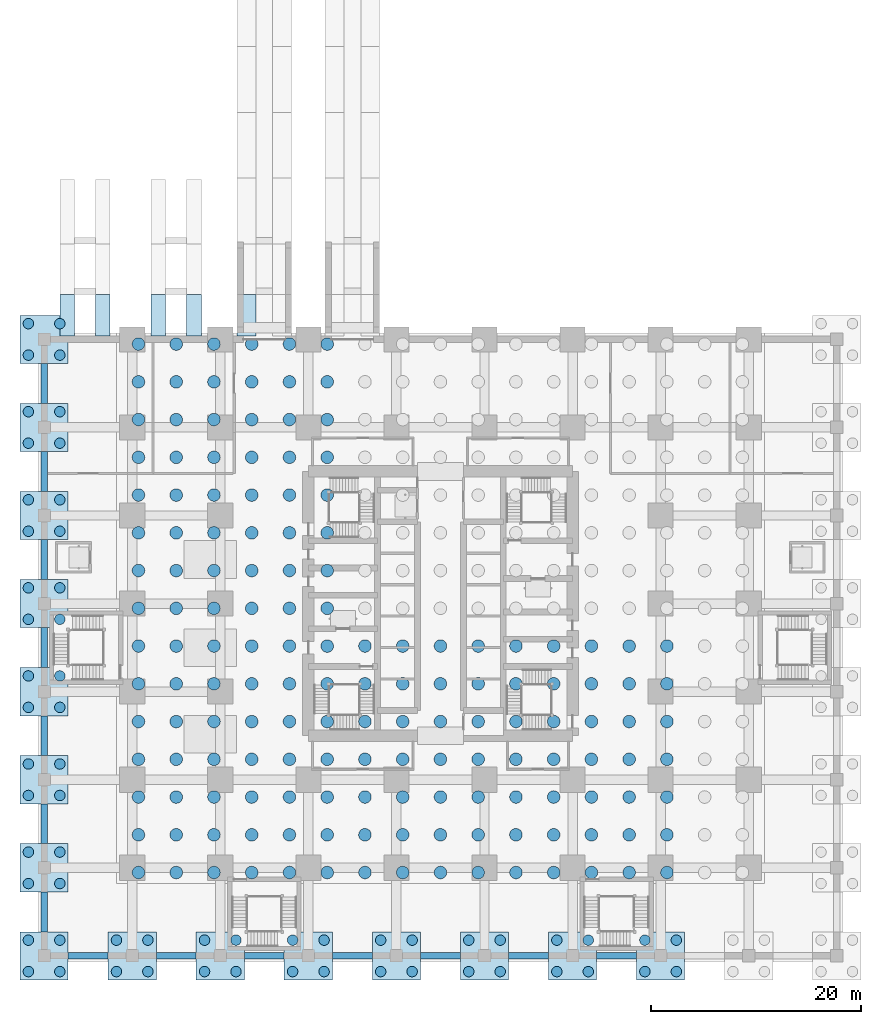
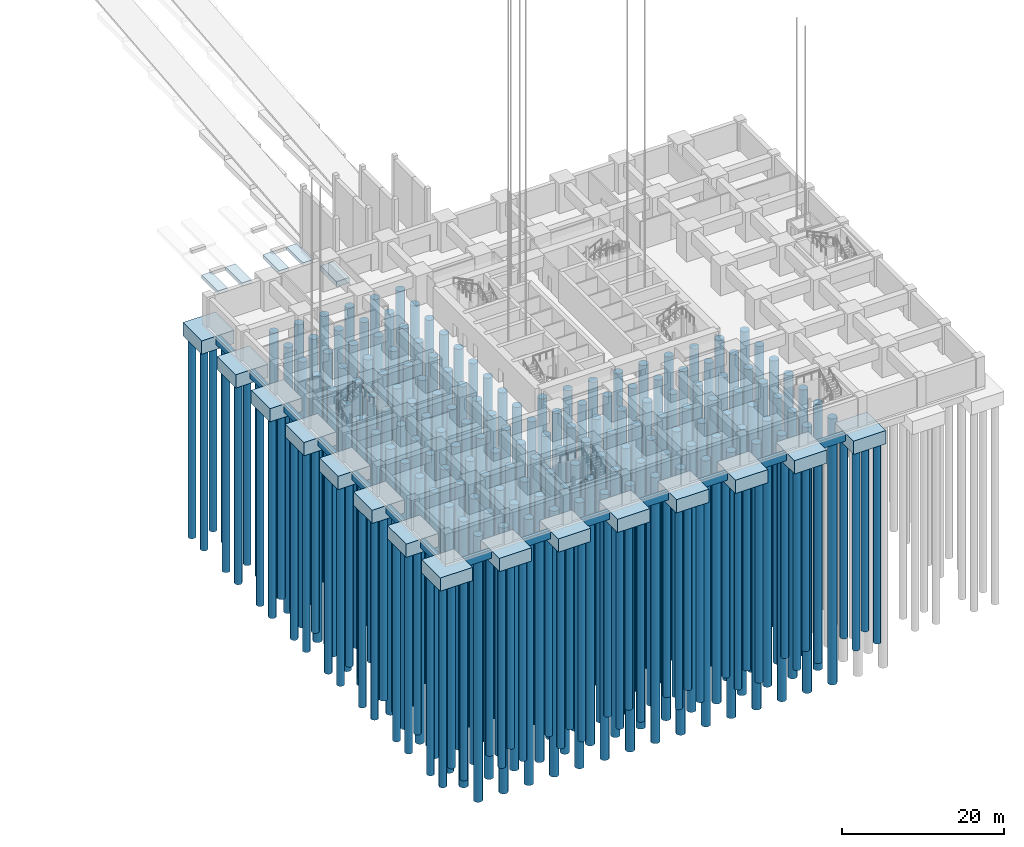
# One storey, part 1 of 28: 213 piles, 34 footings.
"""IFC4 building model written with IfcOpenShell, lengths in metres."""

from ifc_helpers import new_model, si_unit, direction, frame, origin, origin_2d, place, context, subcontext, project, spatial, rectangle, circle, extrude, material, material_profile, profile_set, type_object, element, save


model = new_model("IFC4")

# Units and contexts
model_context = context("Model", 3, precision=1e-05, world=origin(), true_north=direction((0.0, 1.0)))
body_context = subcontext(model_context, "Body", "Model", "MODEL_VIEW")
ifc_project = project(units=[si_unit("LENGTHUNIT", "METRE"), si_unit("AREAUNIT", "SQUARE_METRE"), si_unit("VOLUMEUNIT", "CUBIC_METRE"), si_unit("PLANEANGLEUNIT", "RADIAN"), si_unit("MASSUNIT", "GRAM", prefix="KILO")], contexts=[model_context])

# Site, building, storey
site_placement = place(None, origin())
site = spatial("IfcSite", under=ifc_project, at=site_placement, CompositionType="ELEMENT")
building_placement = place(site_placement, origin())
building = spatial("IfcBuilding", under=site, at=building_placement, Name="Rekha Terrace Tower", CompositionType="ELEMENT")
storey_placement = place(building_placement, frame((0.0, 0.0, -9.89990234375)))
storey = spatial("IfcBuildingStorey", under=building, at=storey_placement, Name="B-02", CompositionType="ELEMENT", Elevation=-9.89990234375)

# Piles
ifc_material_1 = material(Name="Concrete M50", Category="concrete")
pile_type_1 = type_object("IfcPileType", Name="BP1 1200 dia bored pile", PredefinedType="BORED", material=ifc_material_1)
for number, where, z_axis, x_axis, name in (
    (1, (9.0, 7.949951171875, -3.900146484375), (0.0, 0.0, -1.0), (1.0, 0.0, 0.0), "Raft pile BP1 1-1"),
    (2, (9.0, 11.550048828125, -3.900146484375), (0.0, 0.0, -1.0), (1.0, 0.0, 0.0), "Raft pile BP1 1-2"),
    (3, (9.0, 15.14990234375, -3.900146484375), (0.0, 0.0, -1.0), (1.0, 0.0, 0.0), "Raft pile BP1 1-3"),
    (4, (9.0, 18.75, -3.900146484375), (0.0, 0.0, -1.0), (1.0, 0.0, 0.0), "Raft pile BP1 1-4"),
    (5, (9.0, 22.35009765625, -3.900146484375), (0.0, 0.0, -1.0), (1.0, 0.0, 0.0), "Raft pile BP1 1-5"),
    (6, (9.0, 25.949951171875, -3.900146484375), (0.0, 0.0, -1.0), (1.0, 0.0, 0.0), "Raft pile BP1 1-6"),
    (7, (9.0, 29.550048828125, -3.900146484375), (0.0, 0.0, -1.0), (1.0, 0.0, 0.0), "Raft pile BP1 1-7"),
    (8, (9.0, 33.14990234375, -3.900146484375), (0.0, 0.0, -1.0), (1.0, 0.0, 0.0), "Raft pile BP1 1-8"),
    (9, (9.0, 36.75, -3.900146484375), (0.0, 0.0, -1.0), (1.0, 0.0, 0.0), "Raft pile BP1 1-9"),
    (10, (9.0, 40.35009765625, -3.900146484375), (0.0, 0.0, -1.0), (1.0, 0.0, 0.0), "Raft pile BP1 1-10"),
    (11, (9.0, 43.949951171875, -3.900146484375), (0.0, 0.0, -1.0), (1.0, 0.0, 0.0), "Raft pile BP1 1-11"),
    (12, (9.0, 47.550048828125, -3.900146484375), (0.0, 0.0, -1.0), (1.0, 0.0, 0.0), "Raft pile BP1 1-12"),
    (13, (9.0, 51.14990234375, -3.900146484375), (0.0, 0.0, -1.0), (1.0, 0.0, 0.0), "Raft pile BP1 1-13"),
    (14, (9.0, 54.75, -3.900146484375), (0.0, 0.0, -1.0), (1.0, 0.0, 0.0), "Raft pile BP1 1-14"),
    (15, (9.0, 58.35009765625, -3.900146484375), (0.0, 0.0, -1.0), (1.0, 0.0, 0.0), "Raft pile BP1 1-15"),
    (16, (12.60009765625, 7.949951171875, -3.900146484375), (0.0, 0.0, -1.0), (1.0, 0.0, 0.0), "Raft pile BP1 2-1"),
    (17, (12.60009765625, 11.550048828125, -3.900146484375), (0.0, 0.0, -1.0), (1.0, 0.0, 0.0), "Raft pile BP1 2-2"),
    (18, (12.60009765625, 15.14990234375, -3.900146484375), (0.0, 0.0, -1.0), (1.0, 0.0, 0.0), "Raft pile BP1 2-3"),
    (19, (12.60009765625, 18.75, -3.900146484375), (0.0, 0.0, -1.0), (1.0, 0.0, 0.0), "Raft pile BP1 2-4"),
    (20, (12.60009765625, 22.35009765625, -3.900146484375), (0.0, 0.0, -1.0), (1.0, 0.0, 0.0), "Raft pile BP1 2-5"),
    (21, (12.60009765625, 25.949951171875, -3.900146484375), (0.0, 0.0, -1.0), (1.0, 0.0, 0.0), "Raft pile BP1 2-6"),
    (22, (12.60009765625, 29.550048828125, -3.900146484375), (0.0, 0.0, -1.0), (1.0, 0.0, 0.0), "Raft pile BP1 2-7"),
    (23, (12.60009765625, 33.14990234375, -3.900146484375), (0.0, 0.0, -1.0), (1.0, 0.0, 0.0), "Raft pile BP1 2-8"),
    (24, (12.60009765625, 36.75, -3.900146484375), (0.0, 0.0, -1.0), (1.0, 0.0, 0.0), "Raft pile BP1 2-9"),
    (25, (12.60009765625, 40.35009765625, -3.900146484375), (0.0, 0.0, -1.0), (1.0, 0.0, 0.0), "Raft pile BP1 2-10"),
    (26, (12.60009765625, 43.949951171875, -3.900146484375), (0.0, 0.0, -1.0), (1.0, 0.0, 0.0), "Raft pile BP1 2-11"),
    (27, (12.60009765625, 47.550048828125, -3.900146484375), (0.0, 0.0, -1.0), (1.0, 0.0, 0.0), "Raft pile BP1 2-12"),
    (28, (12.60009765625, 51.14990234375, -3.900146484375), (0.0, 0.0, -1.0), (1.0, 0.0, 0.0), "Raft pile BP1 2-13"),
    (29, (12.60009765625, 54.75, -3.900146484375), (0.0, 0.0, -1.0), (1.0, 0.0, 0.0), "Raft pile BP1 2-14"),
    (30, (12.60009765625, 58.35009765625, -3.900146484375), (0.0, 0.0, -1.0), (1.0, 0.0, 0.0), "Raft pile BP1 2-15"),
    (31, (16.199951171875, 7.949951171875, -3.900146484375), (0.0, 0.0, -1.0), (1.0, 0.0, 0.0), "Raft pile BP1 3-1"),
    (32, (16.199951171875, 11.550048828125, -3.900146484375), (0.0, 0.0, -1.0), (1.0, 0.0, 0.0), "Raft pile BP1 3-2"),
    (33, (16.199951171875, 15.14990234375, -3.900146484375), (0.0, 0.0, -1.0), (1.0, 0.0, 0.0), "Raft pile BP1 3-3"),
    (34, (16.199951171875, 18.75, -3.900146484375), (0.0, 0.0, -1.0), (1.0, 0.0, 0.0), "Raft pile BP1 3-4"),
    (35, (16.199951171875, 22.35009765625, -3.900146484375), (0.0, 0.0, -1.0), (1.0, 0.0, 0.0), "Raft pile BP1 3-5"),
    (36, (16.199951171875, 25.949951171875, -3.900146484375), (0.0, 0.0, -1.0), (1.0, 0.0, 0.0), "Raft pile BP1 3-6"),
    (37, (16.199951171875, 29.550048828125, -3.900146484375), (0.0, 0.0, -1.0), (1.0, 0.0, 0.0), "Raft pile BP1 3-7"),
    (38, (16.199951171875, 33.14990234375, -3.900146484375), (0.0, 0.0, -1.0), (1.0, 0.0, 0.0), "Raft pile BP1 3-8"),
    (39, (16.199951171875, 36.75, -3.900146484375), (0.0, 0.0, -1.0), (1.0, 0.0, 0.0), "Raft pile BP1 3-9"),
    (40, (16.199951171875, 40.35009765625, -3.900146484375), (0.0, 0.0, -1.0), (1.0, 0.0, 0.0), "Raft pile BP1 3-10"),
    (41, (16.199951171875, 43.949951171875, -3.900146484375), (0.0, 0.0, -1.0), (1.0, 0.0, 0.0), "Raft pile BP1 3-11"),
    (42, (16.199951171875, 47.550048828125, -3.900146484375), (0.0, 0.0, -1.0), (1.0, 0.0, 0.0), "Raft pile BP1 3-12"),
    (43, (16.199951171875, 51.14990234375, -3.900146484375), (0.0, 0.0, -1.0), (1.0, 0.0, 0.0), "Raft pile BP1 3-13"),
    (44, (16.199951171875, 54.75, -3.900146484375), (0.0, 0.0, -1.0), (1.0, 0.0, 0.0), "Raft pile BP1 3-14"),
    (45, (16.199951171875, 58.35009765625, -3.900146484375), (0.0, 0.0, -1.0), (1.0, 0.0, 0.0), "Raft pile BP1 3-15"),
    (46, (19.800048828125, 7.949951171875, -3.900146484375), (0.0, 0.0, -1.0), (1.0, 0.0, 0.0), "Raft pile BP1 4-1"),
    (47, (19.800048828125, 11.550048828125, -3.900146484375), (0.0, 0.0, -1.0), (1.0, 0.0, 0.0), "Raft pile BP1 4-2"),
    (48, (19.800048828125, 15.14990234375, -3.900146484375), (0.0, 0.0, -1.0), (1.0, 0.0, 0.0), "Raft pile BP1 4-3"),
    (49, (19.800048828125, 18.75, -3.900146484375), (0.0, 0.0, -1.0), (1.0, 0.0, 0.0), "Raft pile BP1 4-4"),
    (50, (19.800048828125, 22.35009765625, -3.900146484375), (0.0, 0.0, -1.0), (1.0, 0.0, 0.0), "Raft pile BP1 4-5"),
    (51, (19.800048828125, 25.949951171875, -3.900146484375), (0.0, 0.0, -1.0), (1.0, 0.0, 0.0), "Raft pile BP1 4-6"),
    (52, (19.800048828125, 29.550048828125, -3.900146484375), (0.0, 0.0, -1.0), (1.0, 0.0, 0.0), "Raft pile BP1 4-7"),
    (53, (19.800048828125, 33.14990234375, -3.900146484375), (0.0, 0.0, -1.0), (1.0, 0.0, 0.0), "Raft pile BP1 4-8"),
    (54, (19.800048828125, 36.75, -3.900146484375), (0.0, 0.0, -1.0), (1.0, 0.0, 0.0), "Raft pile BP1 4-9"),
    (55, (19.800048828125, 40.35009765625, -3.900146484375), (0.0, 0.0, -1.0), (1.0, 0.0, 0.0), "Raft pile BP1 4-10"),
    (56, (19.800048828125, 43.949951171875, -3.900146484375), (0.0, 0.0, -1.0), (1.0, 0.0, 0.0), "Raft pile BP1 4-11"),
    (57, (19.800048828125, 47.550048828125, -3.900146484375), (0.0, 0.0, -1.0), (1.0, 0.0, 0.0), "Raft pile BP1 4-12"),
    (58, (19.800048828125, 51.14990234375, -3.900146484375), (0.0, 0.0, -1.0), (1.0, 0.0, 0.0), "Raft pile BP1 4-13"),
    (59, (19.800048828125, 54.75, -3.900146484375), (0.0, 0.0, -1.0), (1.0, 0.0, 0.0), "Raft pile BP1 4-14"),
    (60, (19.800048828125, 58.35009765625, -3.900146484375), (0.0, 0.0, -1.0), (1.0, 0.0, 0.0), "Raft pile BP1 4-15"),
    (61, (23.39990234375, 7.949951171875, -3.900146484375), (0.0, 0.0, -1.0), (1.0, 0.0, 0.0), "Raft pile BP1 5-1"),
    (62, (23.39990234375, 11.550048828125, -3.900146484375), (0.0, 0.0, -1.0), (1.0, 0.0, 0.0), "Raft pile BP1 5-2"),
    (63, (23.39990234375, 15.14990234375, -3.900146484375), (0.0, 0.0, -1.0), (1.0, 0.0, 0.0), "Raft pile BP1 5-3"),
    (64, (23.39990234375, 18.75, -3.900146484375), (0.0, 0.0, -1.0), (1.0, 0.0, 0.0), "Raft pile BP1 5-4"),
    (65, (23.39990234375, 22.35009765625, -3.900146484375), (0.0, 0.0, -1.0), (1.0, 0.0, 0.0), "Raft pile BP1 5-5"),
    (66, (23.39990234375, 25.949951171875, -3.900146484375), (0.0, 0.0, -1.0), (1.0, 0.0, 0.0), "Raft pile BP1 5-6"),
    (67, (23.39990234375, 29.550048828125, -3.900146484375), (0.0, 0.0, -1.0), (1.0, 0.0, 0.0), "Raft pile BP1 5-7"),
    (68, (23.39990234375, 33.14990234375, -3.900146484375), (0.0, 0.0, -1.0), (1.0, 0.0, 0.0), "Raft pile BP1 5-8"),
    (69, (23.39990234375, 36.75, -3.900146484375), (0.0, 0.0, -1.0), (1.0, 0.0, 0.0), "Raft pile BP1 5-9"),
    (70, (23.39990234375, 40.35009765625, -3.900146484375), (0.0, 0.0, -1.0), (1.0, 0.0, 0.0), "Raft pile BP1 5-10"),
    (71, (23.39990234375, 43.949951171875, -3.900146484375), (0.0, 0.0, -1.0), (1.0, 0.0, 0.0), "Raft pile BP1 5-11"),
    (72, (23.39990234375, 47.550048828125, -3.900146484375), (0.0, 0.0, -1.0), (1.0, 0.0, 0.0), "Raft pile BP1 5-12"),
    (73, (23.39990234375, 51.14990234375, -3.900146484375), (0.0, 0.0, -1.0), (1.0, 0.0, 0.0), "Raft pile BP1 5-13"),
    (74, (23.39990234375, 54.75, -3.900146484375), (0.0, 0.0, -1.0), (1.0, 0.0, 0.0), "Raft pile BP1 5-14"),
    (75, (23.39990234375, 58.35009765625, -3.900146484375), (0.0, 0.0, -1.0), (1.0, 0.0, 0.0), "Raft pile BP1 5-15"),
    (76, (27.0, 7.949951171875, -3.900146484375), (0.0, 0.0, -1.0), (1.0, 0.0, 0.0), "Raft pile BP1 6-1"),
    (77, (27.0, 11.550048828125, -3.900146484375), (0.0, 0.0, -1.0), (1.0, 0.0, 0.0), "Raft pile BP1 6-2"),
    (78, (27.0, 15.14990234375, -3.900146484375), (0.0, 0.0, -1.0), (1.0, 0.0, 0.0), "Raft pile BP1 6-3"),
    (79, (27.0, 18.75, -3.900146484375), (0.0, 0.0, -1.0), (1.0, 0.0, 0.0), "Raft pile BP1 6-4"),
    (80, (27.0, 22.35009765625, -3.900146484375), (0.0, 0.0, -1.0), (1.0, 0.0, 0.0), "Raft pile BP1 6-5"),
    (81, (27.0, 25.949951171875, -3.900146484375), (0.0, 0.0, -1.0), (1.0, 0.0, 0.0), "Raft pile BP1 6-6"),
    (82, (27.0, 29.550048828125, -3.900146484375), (0.0, 0.0, -1.0), (1.0, 0.0, 0.0), "Raft pile BP1 6-7"),
    (83, (27.0, 33.14990234375, -3.900146484375), (0.0, 0.0, -1.0), (1.0, 0.0, 0.0), "Raft pile BP1 6-8"),
    (84, (27.0, 36.75, -3.900146484375), (0.0, 0.0, -1.0), (1.0, 0.0, 0.0), "Raft pile BP1 6-9"),
    (85, (27.0, 40.35009765625, -3.900146484375), (0.0, 0.0, -1.0), (1.0, 0.0, 0.0), "Raft pile BP1 6-10"),
    (86, (27.0, 43.949951171875, -3.900146484375), (0.0, 0.0, -1.0), (1.0, 0.0, 0.0), "Raft pile BP1 6-11"),
    (87, (27.0, 47.550048828125, -3.900146484375), (0.0, 0.0, -1.0), (1.0, 0.0, 0.0), "Raft pile BP1 6-12"),
    (88, (27.0, 51.14990234375, -3.900146484375), (0.0, 0.0, -1.0), (1.0, 0.0, 0.0), "Raft pile BP1 6-13"),
    (89, (27.0, 54.75, -3.900146484375), (0.0, 0.0, -1.0), (1.0, 0.0, 0.0), "Raft pile BP1 6-14"),
    (90, (27.0, 58.35009765625, -3.900146484375), (0.0, 0.0, -1.0), (1.0, 0.0, 0.0), "Raft pile BP1 6-15"),
    (91, (30.60009765625, 7.949951171875, -3.900146484375), (0.0, 0.0, -1.0), (1.0, 0.0, 0.0), "Raft pile BP1 7-1"),
    (92, (30.60009765625, 11.550048828125, -3.900146484375), (0.0, 0.0, -1.0), (1.0, 0.0, 0.0), "Raft pile BP1 7-2"),
    (93, (30.60009765625, 15.14990234375, -3.900146484375), (0.0, 0.0, -1.0), (1.0, 0.0, 0.0), "Raft pile BP1 7-3"),
    (94, (30.60009765625, 18.75, -3.900146484375), (0.0, 0.0, -1.0), (1.0, 0.0, 0.0), "Raft pile BP1 7-4"),
    (95, (30.60009765625, 22.35009765625, -3.900146484375), (0.0, 0.0, -1.0), (1.0, 0.0, 0.0), "Raft pile BP1 7-5"),
    (96, (30.60009765625, 25.949951171875, -3.900146484375), (0.0, 0.0, -1.0), (1.0, 0.0, 0.0), "Raft pile BP1 7-6"),
    (97, (30.60009765625, 29.550048828125, -3.900146484375), (0.0, 0.0, -1.0), (1.0, 0.0, 0.0), "Raft pile BP1 7-7"),
    (98, (34.199951171875, 7.949951171875, -3.900146484375), (0.0, 0.0, -1.0), (1.0, 0.0, 0.0), "Raft pile BP1 8-1"),
    (99, (34.199951171875, 11.550048828125, -3.900146484375), (0.0, 0.0, -1.0), (1.0, 0.0, 0.0), "Raft pile BP1 8-2"),
    (100, (34.199951171875, 15.14990234375, -3.900146484375), (0.0, 0.0, -1.0), (1.0, 0.0, 0.0), "Raft pile BP1 8-3"),
    (101, (34.199951171875, 18.75, -3.900146484375), (0.0, 0.0, -1.0), (1.0, 0.0, 0.0), "Raft pile BP1 8-4"),
    (102, (34.199951171875, 22.35009765625, -3.900146484375), (0.0, 0.0, -1.0), (1.0, 0.0, 0.0), "Raft pile BP1 8-5"),
    (103, (34.199951171875, 25.949951171875, -3.900146484375), (0.0, 0.0, -1.0), (1.0, 0.0, 0.0), "Raft pile BP1 8-6"),
    (104, (34.199951171875, 29.550048828125, -3.900146484375), (0.0, 0.0, -1.0), (1.0, 0.0, 0.0), "Raft pile BP1 8-7"),
    (105, (37.800048828125, 7.949951171875, -3.900146484375), (0.0, 0.0, -1.0), (1.0, 0.0, 0.0), "Raft pile BP1 9-1"),
    (106, (37.800048828125, 11.550048828125, -3.900146484375), (0.0, 0.0, -1.0), (1.0, 0.0, 0.0), "Raft pile BP1 9-2"),
    (107, (37.800048828125, 15.14990234375, -3.900146484375), (0.0, 0.0, -1.0), (1.0, 0.0, 0.0), "Raft pile BP1 9-3"),
    (108, (37.800048828125, 18.75, -3.900146484375), (0.0, 0.0, -1.0), (1.0, 0.0, 0.0), "Raft pile BP1 9-4"),
    (109, (37.800048828125, 22.35009765625, -3.900146484375), (0.0, 0.0, -1.0), (1.0, 0.0, 0.0), "Raft pile BP1 9-5"),
    (110, (37.800048828125, 25.949951171875, -3.900146484375), (0.0, 0.0, -1.0), (1.0, 0.0, 0.0), "Raft pile BP1 9-6"),
    (111, (37.800048828125, 29.550048828125, -3.900146484375), (0.0, 0.0, -1.0), (1.0, 0.0, 0.0), "Raft pile BP1 9-7"),
    (112, (41.39990234375, 7.949951171875, -3.900146484375), (0.0, 0.0, -1.0), (1.0, 0.0, 0.0), "Raft pile BP1 10-1"),
    (113, (41.39990234375, 11.550048828125, -3.900146484375), (0.0, 0.0, -1.0), (1.0, 0.0, 0.0), "Raft pile BP1 10-2"),
    (114, (41.39990234375, 15.14990234375, -3.900146484375), (0.0, 0.0, -1.0), (1.0, 0.0, 0.0), "Raft pile BP1 10-3"),
    (115, (41.39990234375, 18.75, -3.900146484375), (0.0, 0.0, -1.0), (1.0, 0.0, 0.0), "Raft pile BP1 10-4"),
    (116, (41.39990234375, 22.35009765625, -3.900146484375), (0.0, 0.0, -1.0), (1.0, 0.0, 0.0), "Raft pile BP1 10-5"),
    (117, (41.39990234375, 25.949951171875, -3.900146484375), (0.0, 0.0, -1.0), (1.0, 0.0, 0.0), "Raft pile BP1 10-6"),
    (118, (41.39990234375, 29.550048828125, -3.900146484375), (0.0, 0.0, -1.0), (1.0, 0.0, 0.0), "Raft pile BP1 10-7"),
    (119, (45.0, 7.949951171875, -3.900146484375), (0.0, 0.0, -1.0), (1.0, 0.0, 0.0), "Raft pile BP1 11-1"),
    (120, (45.0, 11.550048828125, -3.900146484375), (0.0, 0.0, -1.0), (1.0, 0.0, 0.0), "Raft pile BP1 11-2"),
    (121, (45.0, 15.14990234375, -3.900146484375), (0.0, 0.0, -1.0), (1.0, 0.0, 0.0), "Raft pile BP1 11-3"),
    (122, (45.0, 18.75, -3.900146484375), (0.0, 0.0, -1.0), (1.0, 0.0, 0.0), "Raft pile BP1 11-4"),
    (123, (45.0, 22.35009765625, -3.900146484375), (0.0, 0.0, -1.0), (1.0, 0.0, 0.0), "Raft pile BP1 11-5"),
    (124, (45.0, 25.949951171875, -3.900146484375), (0.0, 0.0, -1.0), (1.0, 0.0, 0.0), "Raft pile BP1 11-6"),
    (125, (45.0, 29.550048828125, -3.900146484375), (0.0, 0.0, -1.0), (1.0, 0.0, 0.0), "Raft pile BP1 11-7"),
    (126, (48.60009765625, 7.949951171875, -3.900146484375), (0.0, 0.0, -1.0), (1.0, 0.0, 0.0), "Raft pile BP1 12-1"),
    (127, (48.60009765625, 11.550048828125, -3.900146484375), (0.0, 0.0, -1.0), (1.0, 0.0, 0.0), "Raft pile BP1 12-2"),
    (128, (48.60009765625, 15.14990234375, -3.900146484375), (0.0, 0.0, -1.0), (1.0, 0.0, 0.0), "Raft pile BP1 12-3"),
    (129, (48.60009765625, 18.75, -3.900146484375), (0.0, 0.0, -1.0), (1.0, 0.0, 0.0), "Raft pile BP1 12-4"),
    (130, (48.60009765625, 22.35009765625, -3.900146484375), (0.0, 0.0, -1.0), (1.0, 0.0, 0.0), "Raft pile BP1 12-5"),
    (131, (48.60009765625, 25.949951171875, -3.900146484375), (0.0, 0.0, -1.0), (1.0, 0.0, 0.0), "Raft pile BP1 12-6"),
    (132, (48.60009765625, 29.550048828125, -3.900146484375), (0.0, 0.0, -1.0), (1.0, 0.0, 0.0), "Raft pile BP1 12-7"),
    (133, (52.199951171875, 7.949951171875, -3.900146484375), (0.0, 0.0, -1.0), (1.0, 0.0, 0.0), "Raft pile BP1 13-1"),
    (134, (52.199951171875, 11.550048828125, -3.900146484375), (0.0, 0.0, -1.0), (1.0, 0.0, 0.0), "Raft pile BP1 13-2"),
    (135, (52.199951171875, 15.14990234375, -3.900146484375), (0.0, 0.0, -1.0), (1.0, 0.0, 0.0), "Raft pile BP1 13-3"),
    (136, (52.199951171875, 18.75, -3.900146484375), (0.0, 0.0, -1.0), (1.0, 0.0, 0.0), "Raft pile BP1 13-4"),
    (137, (52.199951171875, 22.35009765625, -3.900146484375), (0.0, 0.0, -1.0), (1.0, 0.0, 0.0), "Raft pile BP1 13-5"),
    (138, (52.199951171875, 25.949951171875, -3.900146484375), (0.0, 0.0, -1.0), (1.0, 0.0, 0.0), "Raft pile BP1 13-6"),
    (139, (52.199951171875, 29.550048828125, -3.900146484375), (0.0, 0.0, -1.0), (1.0, 0.0, 0.0), "Raft pile BP1 13-7"),
    (140, (55.800048828125, 7.949951171875, -3.900146484375), (0.0, 0.0, -1.0), (1.0, 0.0, 0.0), "Raft pile BP1 14-1"),
    (141, (55.800048828125, 11.550048828125, -3.900146484375), (0.0, 0.0, -1.0), (1.0, 0.0, 0.0), "Raft pile BP1 14-2"),
    (142, (55.800048828125, 15.14990234375, -3.900146484375), (0.0, 0.0, -1.0), (1.0, 0.0, 0.0), "Raft pile BP1 14-3"),
    (143, (55.800048828125, 18.75, -3.900146484375), (0.0, 0.0, -1.0), (1.0, 0.0, 0.0), "Raft pile BP1 14-4"),
    (144, (55.800048828125, 22.35009765625, -3.900146484375), (0.0, 0.0, -1.0), (1.0, 0.0, 0.0), "Raft pile BP1 14-5"),
    (145, (55.800048828125, 25.949951171875, -3.900146484375), (0.0, 0.0, -1.0), (1.0, 0.0, 0.0), "Raft pile BP1 14-6"),
    (146, (55.800048828125, 29.550048828125, -3.900146484375), (0.0, 0.0, -1.0), (1.0, 0.0, 0.0), "Raft pile BP1 14-7"),
    (147, (59.39990234375, 7.949951171875, -3.900146484375), (0.0, 0.0, -1.0), (1.0, 0.0, 0.0), "Raft pile BP1 15-1"),
    (148, (59.39990234375, 11.550048828125, -3.900146484375), (0.0, 0.0, -1.0), (1.0, 0.0, 0.0), "Raft pile BP1 15-2"),
    (149, (59.39990234375, 15.14990234375, -3.900146484375), (0.0, 0.0, -1.0), (1.0, 0.0, 0.0), "Raft pile BP1 15-3"),
    (150, (59.39990234375, 18.75, -3.900146484375), (0.0, 0.0, -1.0), (1.0, 0.0, 0.0), "Raft pile BP1 15-4"),
    (151, (59.39990234375, 22.35009765625, -3.900146484375), (0.0, 0.0, -1.0), (1.0, 0.0, 0.0), "Raft pile BP1 15-5"),
    (152, (59.39990234375, 25.949951171875, -3.900146484375), (0.0, 0.0, -1.0), (1.0, 0.0, 0.0), "Raft pile BP1 15-6"),
    (153, (59.39990234375, 29.550048828125, -3.900146484375), (0.0, 0.0, -1.0), (1.0, 0.0, 0.0), "Raft pile BP1 15-7"),
):
    element("IfcPile", number, at=place(storey_placement, frame(where, z_axis=z_axis, x_axis=x_axis)), inside=storey, type_object=pile_type_1, Name=name, PredefinedType="BORED", context=body_context, shape_type="SweptSolid", body=[
        extrude(circle(Radius=0.60009765625, at=origin_2d()), origin(), (0.0, 0.0, 1.0), 40.0),
    ])
pile_type_2 = type_object("IfcPileType", Name="BP2 1000 dia bored pile", PredefinedType="BORED", material=ifc_material_1)
for number, where, z_axis, x_axis, name in (
    (154, (-1.5, -1.5, -2.400146484375), (0.0, 0.0, -1.0), (1.0, 0.0, 0.0), "Cap pile BP2 1/A-1"),
    (155, (1.5, -1.5, -2.400146484375), (0.0, 0.0, -1.0), (1.0, 0.0, 0.0), "Cap pile BP2 1/A-2"),
    (156, (1.5, 1.5, -2.400146484375), (0.0, 0.0, -1.0), (1.0, 0.0, 0.0), "Cap pile BP2 1/A-3"),
    (157, (-1.5, 1.5, -2.400146484375), (0.0, 0.0, -1.0), (1.0, 0.0, 0.0), "Cap pile BP2 1/A-4"),
    (158, (-1.5, 6.89990234375, -2.400146484375), (0.0, 0.0, -1.0), (1.0, 0.0, 0.0), "Cap pile BP2 1/B-1"),
    (159, (1.5, 6.89990234375, -2.400146484375), (0.0, 0.0, -1.0), (1.0, 0.0, 0.0), "Cap pile BP2 1/B-2"),
    (160, (1.5, 9.89990234375, -2.400146484375), (0.0, 0.0, -1.0), (1.0, 0.0, 0.0), "Cap pile BP2 1/B-3"),
    (161, (-1.5, 9.89990234375, -2.400146484375), (0.0, 0.0, -1.0), (1.0, 0.0, 0.0), "Cap pile BP2 1/B-4"),
    (162, (-1.5, 15.300048828125, -2.400146484375), (0.0, 0.0, -1.0), (1.0, 0.0, 0.0), "Cap pile BP2 1/C-1"),
    (163, (1.5, 15.300048828125, -2.400146484375), (0.0, 0.0, -1.0), (1.0, 0.0, 0.0), "Cap pile BP2 1/C-2"),
    (164, (1.5, 18.300048828125, -2.400146484375), (0.0, 0.0, -1.0), (1.0, 0.0, 0.0), "Cap pile BP2 1/C-3"),
    (165, (-1.5, 18.300048828125, -2.400146484375), (0.0, 0.0, -1.0), (1.0, 0.0, 0.0), "Cap pile BP2 1/C-4"),
    (166, (-1.5, 23.699951171875, -2.400146484375), (0.0, 0.0, -1.0), (1.0, 0.0, 0.0), "Cap pile BP2 1/D-1"),
    (167, (1.5, 23.699951171875, -2.400146484375), (0.0, 0.0, -1.0), (1.0, 0.0, 0.0), "Cap pile BP2 1/D-2"),
    (168, (1.5, 26.699951171875, -2.400146484375), (0.0, 0.0, -1.0), (1.0, 0.0, 0.0), "Cap pile BP2 1/D-3"),
    (169, (-1.5, 26.699951171875, -2.400146484375), (0.0, 0.0, -1.0), (1.0, 0.0, 0.0), "Cap pile BP2 1/D-4"),
    (170, (-1.5, 32.10009765625, -2.400146484375), (0.0, 0.0, -1.0), (1.0, 0.0, 0.0), "Cap pile BP2 1/E-1"),
    (171, (1.5, 32.10009765625, -2.400146484375), (0.0, 0.0, -1.0), (1.0, 0.0, 0.0), "Cap pile BP2 1/E-2"),
    (172, (1.5, 35.10009765625, -2.400146484375), (0.0, 0.0, -1.0), (1.0, 0.0, 0.0), "Cap pile BP2 1/E-3"),
    (173, (-1.5, 35.10009765625, -2.400146484375), (0.0, 0.0, -1.0), (1.0, 0.0, 0.0), "Cap pile BP2 1/E-4"),
    (174, (-1.5, 40.5, -2.400146484375), (0.0, 0.0, -1.0), (1.0, 0.0, 0.0), "Cap pile BP2 1/F-1"),
    (175, (1.5, 40.5, -2.400146484375), (0.0, 0.0, -1.0), (1.0, 0.0, 0.0), "Cap pile BP2 1/F-2"),
    (176, (1.5, 43.5, -2.400146484375), (0.0, 0.0, -1.0), (1.0, 0.0, 0.0), "Cap pile BP2 1/F-3"),
    (177, (-1.5, 43.5, -2.400146484375), (0.0, 0.0, -1.0), (1.0, 0.0, 0.0), "Cap pile BP2 1/F-4"),
    (178, (-1.5, 48.89990234375, -2.400146484375), (0.0, 0.0, -1.0), (1.0, 0.0, 0.0), "Cap pile BP2 1/G-1"),
    (179, (1.5, 48.89990234375, -2.400146484375), (0.0, 0.0, -1.0), (1.0, 0.0, 0.0), "Cap pile BP2 1/G-2"),
    (180, (1.5, 51.89990234375, -2.400146484375), (0.0, 0.0, -1.0), (1.0, 0.0, 0.0), "Cap pile BP2 1/G-3"),
    (181, (-1.5, 51.89990234375, -2.400146484375), (0.0, 0.0, -1.0), (1.0, 0.0, 0.0), "Cap pile BP2 1/G-4"),
    (182, (-1.5, 57.300048828125, -2.400146484375), (0.0, 0.0, -1.0), (1.0, 0.0, 0.0), "Cap pile BP2 1/H-1"),
    (183, (1.5, 57.300048828125, -2.400146484375), (0.0, 0.0, -1.0), (1.0, 0.0, 0.0), "Cap pile BP2 1/H-2"),
    (184, (1.5, 60.300048828125, -2.400146484375), (0.0, 0.0, -1.0), (1.0, 0.0, 0.0), "Cap pile BP2 1/H-3"),
    (185, (-1.5, 60.300048828125, -2.400146484375), (0.0, 0.0, -1.0), (1.0, 0.0, 0.0), "Cap pile BP2 1/H-4"),
    (186, (6.89990234375, -1.5, -2.400146484375), (0.0, 0.0, -1.0), (1.0, 0.0, 0.0), "Cap pile BP2 2/A-1"),
    (187, (9.89990234375, -1.5, -2.400146484375), (0.0, 0.0, -1.0), (1.0, 0.0, 0.0), "Cap pile BP2 2/A-2"),
    (188, (9.89990234375, 1.5, -2.400146484375), (0.0, 0.0, -1.0), (1.0, 0.0, 0.0), "Cap pile BP2 2/A-3"),
    (189, (6.89990234375, 1.5, -2.400146484375), (0.0, 0.0, -1.0), (1.0, 0.0, 0.0), "Cap pile BP2 2/A-4"),
    (190, (15.300048828125, -1.5, -2.400146484375), (0.0, 0.0, -1.0), (1.0, 0.0, 0.0), "Cap pile BP2 3/A-1"),
    (191, (18.300048828125, -1.5, -2.400146484375), (0.0, 0.0, -1.0), (1.0, 0.0, 0.0), "Cap pile BP2 3/A-2"),
    (192, (18.300048828125, 1.5, -2.400146484375), (0.0, 0.0, -1.0), (1.0, 0.0, 0.0), "Cap pile BP2 3/A-3"),
    (193, (15.300048828125, 1.5, -2.400146484375), (0.0, 0.0, -1.0), (1.0, 0.0, 0.0), "Cap pile BP2 3/A-4"),
    (194, (23.699951171875, -1.5, -2.400146484375), (0.0, 0.0, -1.0), (1.0, 0.0, 0.0), "Cap pile BP2 4/A-1"),
    (195, (26.699951171875, -1.5, -2.400146484375), (0.0, 0.0, -1.0), (1.0, 0.0, 0.0), "Cap pile BP2 4/A-2"),
    (196, (26.699951171875, 1.5, -2.400146484375), (0.0, 0.0, -1.0), (1.0, 0.0, 0.0), "Cap pile BP2 4/A-3"),
    (197, (23.699951171875, 1.5, -2.400146484375), (0.0, 0.0, -1.0), (1.0, 0.0, 0.0), "Cap pile BP2 4/A-4"),
    (198, (32.10009765625, -1.5, -2.400146484375), (0.0, 0.0, -1.0), (1.0, 0.0, 0.0), "Cap pile BP2 5/A-1"),
    (199, (35.10009765625, -1.5, -2.400146484375), (0.0, 0.0, -1.0), (1.0, 0.0, 0.0), "Cap pile BP2 5/A-2"),
    (200, (35.10009765625, 1.5, -2.400146484375), (0.0, 0.0, -1.0), (1.0, 0.0, 0.0), "Cap pile BP2 5/A-3"),
    (201, (32.10009765625, 1.5, -2.400146484375), (0.0, 0.0, -1.0), (1.0, 0.0, 0.0), "Cap pile BP2 5/A-4"),
    (202, (40.5, -1.5, -2.400146484375), (0.0, 0.0, -1.0), (1.0, 0.0, 0.0), "Cap pile BP2 6/A-1"),
    (203, (43.5, -1.5, -2.400146484375), (0.0, 0.0, -1.0), (1.0, 0.0, 0.0), "Cap pile BP2 6/A-2"),
    (204, (43.5, 1.5, -2.400146484375), (0.0, 0.0, -1.0), (1.0, 0.0, 0.0), "Cap pile BP2 6/A-3"),
    (205, (40.5, 1.5, -2.400146484375), (0.0, 0.0, -1.0), (1.0, 0.0, 0.0), "Cap pile BP2 6/A-4"),
    (206, (48.89990234375, -1.5, -2.400146484375), (0.0, 0.0, -1.0), (1.0, 0.0, 0.0), "Cap pile BP2 7/A-1"),
    (207, (51.89990234375, -1.5, -2.400146484375), (0.0, 0.0, -1.0), (1.0, 0.0, 0.0), "Cap pile BP2 7/A-2"),
    (208, (51.89990234375, 1.5, -2.400146484375), (0.0, 0.0, -1.0), (1.0, 0.0, 0.0), "Cap pile BP2 7/A-3"),
    (209, (48.89990234375, 1.5, -2.400146484375), (0.0, 0.0, -1.0), (1.0, 0.0, 0.0), "Cap pile BP2 7/A-4"),
    (210, (57.300048828125, -1.5, -2.400146484375), (0.0, 0.0, -1.0), (1.0, 0.0, 0.0), "Cap pile BP2 8/A-1"),
    (211, (60.300048828125, -1.5, -2.400146484375), (0.0, 0.0, -1.0), (1.0, 0.0, 0.0), "Cap pile BP2 8/A-2"),
    (212, (60.300048828125, 1.5, -2.400146484375), (0.0, 0.0, -1.0), (1.0, 0.0, 0.0), "Cap pile BP2 8/A-3"),
    (213, (57.300048828125, 1.5, -2.400146484375), (0.0, 0.0, -1.0), (1.0, 0.0, 0.0), "Cap pile BP2 8/A-4"),
):
    element("IfcPile", number, at=place(storey_placement, frame(where, z_axis=z_axis, x_axis=x_axis)), inside=storey, type_object=pile_type_2, Name=name, PredefinedType="BORED", context=body_context, shape_type="SweptSolid", body=[
        extrude(circle(Radius=0.5, at=origin_2d()), origin(), (0.0, 0.0, 1.0), 30.0),
    ])

# Footings
ifc_material_2 = material(Name="Concrete M40", Category="concrete")
footing_type_1 = type_object("IfcFootingType", Name="FS1 1400x500 strip footing", PredefinedType="STRIP_FOOTING", material=ifc_material_2)
for number, where, z_axis, x_axis, name in (
    (214, (2.199951171875, 61.10009765625, 3.699951171875), (0.0, 0.0, 1.0), (1.0, 0.0, 0.0), "Ramp 1 strip footing FS1 W1"),
    (215, (5.60009765625, 61.10009765625, 3.699951171875), (0.0, 0.0, 1.0), (1.0, 0.0, 0.0), "Ramp 1 strip footing FS1 E1"),
    (216, (10.89990234375, 61.10009765625, 3.699951171875), (0.0, 0.0, 1.0), (1.0, 0.0, 0.0), "Ramp 2 strip footing FS1 W1"),
    (217, (14.300048828125, 61.10009765625, 3.699951171875), (0.0, 0.0, 1.0), (1.0, 0.0, 0.0), "Ramp 2 strip footing FS1 E1"),
):
    element("IfcFooting", number, at=place(storey_placement, frame(where, z_axis=z_axis, x_axis=x_axis)), inside=storey, type_object=footing_type_1, Name=name, PredefinedType="STRIP_FOOTING", context=body_context, shape_type="SweptSolid", body=[
        extrude(rectangle(XDim=1.39990234375, YDim=4.0, at=origin_2d()), origin(), (0.0, 0.0, 1.0), 0.5),
    ])
footing_type_2 = type_object("IfcFootingType", Name="FS2 1800x800 strip footing", PredefinedType="STRIP_FOOTING", material=ifc_material_2)
footing_1_placement = place(storey_placement, frame((19.300048828125, 61.10009765625, -1.10009765625), z_axis=(0.0, 0.0, 1.0), x_axis=(1.0, 0.0, 0.0)))
element("IfcFooting", 218, at=footing_1_placement, inside=storey, type_object=footing_type_2, Name="Ramp 3 strip footing FS2 W1", PredefinedType="STRIP_FOOTING", context=body_context, shape_type="SweptSolid", body=[
    extrude(rectangle(XDim=1.800048828125, YDim=4.0, at=origin_2d()), origin(), (0.0, 0.0, 1.0), 0.800048828125),
])
ifc_material_profile = material_profile(ifc_material_1, rectangle(XDim=0.60009765625, YDim=1.199951171875, at=origin_2d()), Name="RC 600x1200")
ifc_profile_set = profile_set([ifc_material_profile], Name="Concrete M50")
footing_type_3 = type_object("IfcFootingType", Name="GB1 600x1200 ground beam", PredefinedType="FOOTING_BEAM", material=ifc_profile_set)
for number, where, z_axis, x_axis, name in (
    (219, (2.300048828125, 0.0, -1.0), (1.0, 0.0, 0.0), (0.0, 1.0, 0.0), "Ground beam GB1 1A-2A"),
    (220, (0.0, 2.300048828125, -1.0), (0.0, 1.0, 0.0), (-1.0, 0.0, 0.0), "Ground beam GB1 1A-1B"),
    (221, (0.0, 10.699951171875, -1.0), (0.0, 1.0, 0.0), (-1.0, 0.0, 0.0), "Ground beam GB1 1B-1C"),
):
    element("IfcFooting", number, at=place(storey_placement, frame(where, z_axis=z_axis, x_axis=x_axis)), inside=storey, type_object=footing_type_3, Name=name, PredefinedType="FOOTING_BEAM", context=body_context, shape_type="SweptSolid", body=[
        extrude(rectangle(XDim=0.60009765625, YDim=1.199951171875, at=origin_2d()), origin(), (0.0, 0.0, 1.0), 3.800048828125),
    ])
footing_2_placement = place(storey_placement, frame((0.0, 19.10009765625, -1.0), z_axis=(0.0, 1.0, 0.0), x_axis=(-1.0, 0.0, 0.0)))
element("IfcFooting", 222, at=footing_2_placement, inside=storey, type_object=footing_type_3, Name="Ground beam GB1 1C-1D", PredefinedType="FOOTING_BEAM", context=body_context, shape_type="SweptSolid", body=[
    extrude(rectangle(XDim=0.60009765625, YDim=1.199951171875, at=origin_2d()), origin(), (0.0, 0.0, 1.0), 3.7998046875),
])
for number, where, z_axis, x_axis, name in (
    (223, (0.0, 27.5, -1.0), (0.0, 1.0, 0.0), (-1.0, 0.0, 0.0), "Ground beam GB1 1D-1E"),
    (224, (0.0, 35.89990234375, -1.0), (0.0, 1.0, 0.0), (-1.0, 0.0, 0.0), "Ground beam GB1 1E-1F"),
    (225, (0.0, 44.300048828125, -1.0), (0.0, 1.0, 0.0), (-1.0, 0.0, 0.0), "Ground beam GB1 1F-1G"),
    (226, (0.0, 52.699951171875, -1.0), (0.0, 1.0, 0.0), (-1.0, 0.0, 0.0), "Ground beam GB1 1G-1H"),
    (227, (10.699951171875, 0.0, -1.0), (1.0, 0.0, 0.0), (0.0, 1.0, 0.0), "Ground beam GB1 2A-3A"),
):
    element("IfcFooting", number, at=place(storey_placement, frame(where, z_axis=z_axis, x_axis=x_axis)), inside=storey, type_object=footing_type_3, Name=name, PredefinedType="FOOTING_BEAM", context=body_context, shape_type="SweptSolid", body=[
        extrude(rectangle(XDim=0.60009765625, YDim=1.199951171875, at=origin_2d()), origin(), (0.0, 0.0, 1.0), 3.800048828125),
    ])
footing_3_placement = place(storey_placement, frame((19.10009765625, 0.0, -1.0), z_axis=(1.0, 0.0, 0.0), x_axis=(0.0, 1.0, 0.0)))
element("IfcFooting", 228, at=footing_3_placement, inside=storey, type_object=footing_type_3, Name="Ground beam GB1 3A-4A", PredefinedType="FOOTING_BEAM", context=body_context, shape_type="SweptSolid", body=[
    extrude(rectangle(XDim=0.60009765625, YDim=1.199951171875, at=origin_2d()), origin(), (0.0, 0.0, 1.0), 3.7998046875),
])
for number, where, z_axis, x_axis, name in (
    (229, (27.5, 0.0, -1.0), (1.0, 0.0, 0.0), (0.0, 1.0, 0.0), "Ground beam GB1 4A-5A"),
    (230, (35.89990234375, 0.0, -1.0), (1.0, 0.0, 0.0), (0.0, 1.0, 0.0), "Ground beam GB1 5A-6A"),
    (231, (44.300048828125, 0.0, -1.0), (1.0, 0.0, 0.0), (0.0, 1.0, 0.0), "Ground beam GB1 6A-7A"),
    (232, (52.699951171875, 0.0, -1.0), (1.0, 0.0, 0.0), (0.0, 1.0, 0.0), "Ground beam GB1 7A-8A"),
):
    element("IfcFooting", number, at=place(storey_placement, frame(where, z_axis=z_axis, x_axis=x_axis)), inside=storey, type_object=footing_type_3, Name=name, PredefinedType="FOOTING_BEAM", context=body_context, shape_type="SweptSolid", body=[
        extrude(rectangle(XDim=0.60009765625, YDim=1.199951171875, at=origin_2d()), origin(), (0.0, 0.0, 1.0), 3.800048828125),
    ])
footing_type_4 = type_object("IfcFootingType", Name="PC1 4600x4600x2000 pile cap, 4 piles", PredefinedType="PILE_CAP", material=ifc_material_1)
for number, where, z_axis, x_axis, name in (
    (233, (0.0, 0.0, -2.400146484375), (0.0, 0.0, 1.0), (1.0, 0.0, 0.0), "Pile cap PC1 1/A"),
    (234, (0.0, 8.39990234375, -2.400146484375), (0.0, 0.0, 1.0), (1.0, 0.0, 0.0), "Pile cap PC1 1/B"),
    (235, (0.0, 16.800048828125, -2.400146484375), (0.0, 0.0, 1.0), (1.0, 0.0, 0.0), "Pile cap PC1 1/C"),
    (236, (0.0, 25.199951171875, -2.400146484375), (0.0, 0.0, 1.0), (1.0, 0.0, 0.0), "Pile cap PC1 1/D"),
    (237, (0.0, 33.60009765625, -2.400146484375), (0.0, 0.0, 1.0), (1.0, 0.0, 0.0), "Pile cap PC1 1/E"),
    (238, (0.0, 42.0, -2.400146484375), (0.0, 0.0, 1.0), (1.0, 0.0, 0.0), "Pile cap PC1 1/F"),
    (239, (0.0, 50.39990234375, -2.400146484375), (0.0, 0.0, 1.0), (1.0, 0.0, 0.0), "Pile cap PC1 1/G"),
    (240, (0.0, 58.800048828125, -2.400146484375), (0.0, 0.0, 1.0), (1.0, 0.0, 0.0), "Pile cap PC1 1/H"),
    (241, (8.39990234375, 0.0, -2.400146484375), (0.0, 0.0, 1.0), (1.0, 0.0, 0.0), "Pile cap PC1 2/A"),
    (242, (16.800048828125, 0.0, -2.400146484375), (0.0, 0.0, 1.0), (1.0, 0.0, 0.0), "Pile cap PC1 3/A"),
    (243, (25.199951171875, 0.0, -2.400146484375), (0.0, 0.0, 1.0), (1.0, 0.0, 0.0), "Pile cap PC1 4/A"),
    (244, (33.60009765625, 0.0, -2.400146484375), (0.0, 0.0, 1.0), (1.0, 0.0, 0.0), "Pile cap PC1 5/A"),
    (245, (42.0, 0.0, -2.400146484375), (0.0, 0.0, 1.0), (1.0, 0.0, 0.0), "Pile cap PC1 6/A"),
    (246, (50.39990234375, 0.0, -2.400146484375), (0.0, 0.0, 1.0), (1.0, 0.0, 0.0), "Pile cap PC1 7/A"),
    (247, (58.800048828125, 0.0, -2.400146484375), (0.0, 0.0, 1.0), (1.0, 0.0, 0.0), "Pile cap PC1 8/A"),
):
    element("IfcFooting", number, at=place(storey_placement, frame(where, z_axis=z_axis, x_axis=x_axis)), inside=storey, type_object=footing_type_4, Name=name, PredefinedType="PILE_CAP", context=body_context, shape_type="SweptSolid", body=[
        extrude(rectangle(XDim=4.60009765625, YDim=4.60009765625, at=origin_2d()), origin(), (0.0, 0.0, 1.0), 2.0),
    ])

save(model, "model.ifc")
